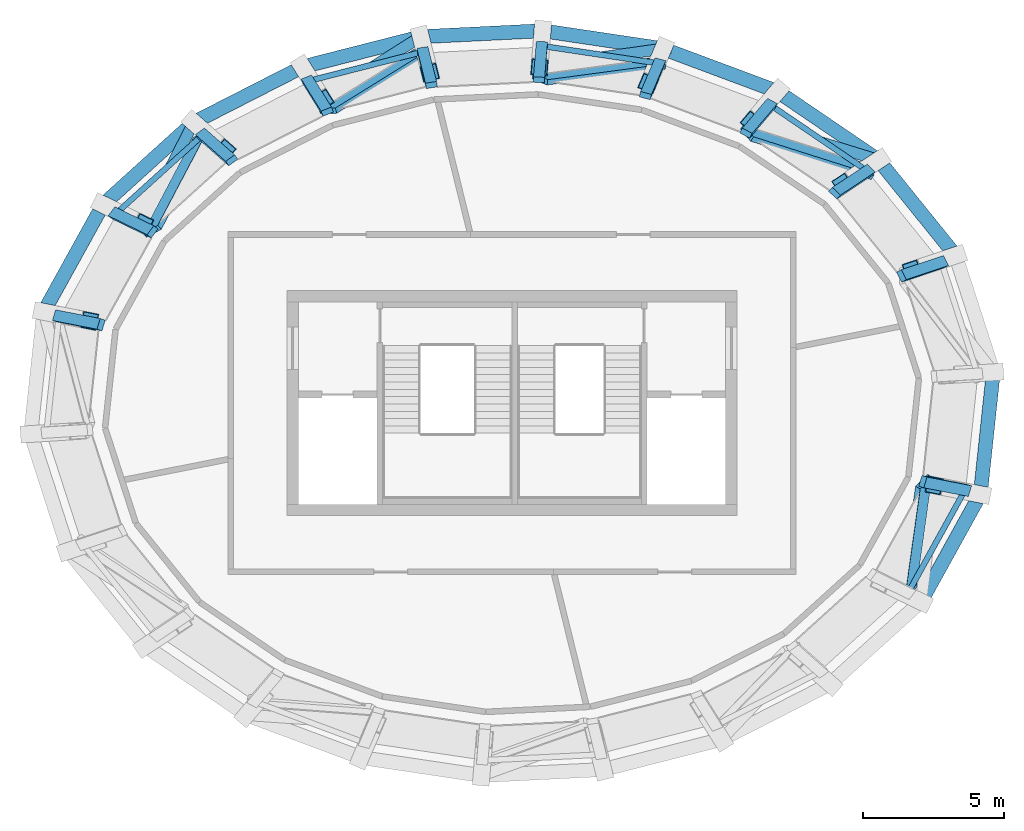
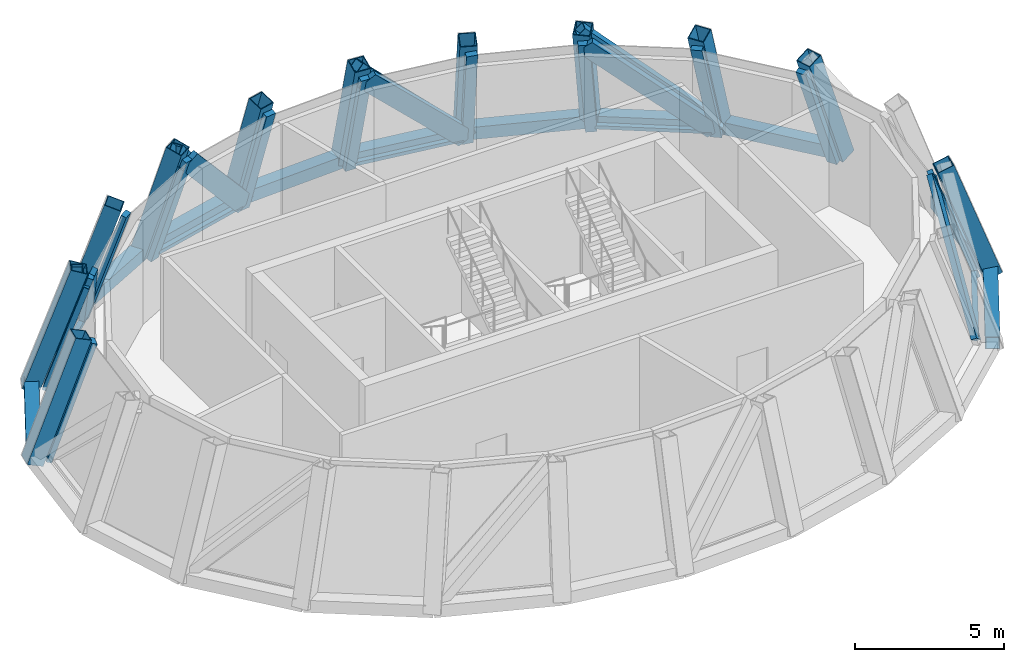
# One storey, part 2 of 6: 36 members, 11 beams, 1 element without a shape of its own.
"""IFC4 building model written with IfcOpenShell, lengths in metres."""

from ifc_helpers import new_model, si_unit, direction, frame, origin, origin_2d, place, context, subcontext, project, spatial, rectangle, hollow_rectangle, extrude, source, transform, mapped, material, material_profile, profile_set, type_object, element, aggregate, save


model = new_model("IFC4")

# Units and contexts
model_context = context("Model", 3, precision=1e-05, world=origin(), true_north=direction((0.0, 1.0)))
body_context = subcontext(model_context, "Body", "Model", "MODEL_VIEW")
ifc_project = project(units=[si_unit("LENGTHUNIT", "METRE"), si_unit("AREAUNIT", "SQUARE_METRE"), si_unit("VOLUMEUNIT", "CUBIC_METRE"), si_unit("PLANEANGLEUNIT", "RADIAN"), si_unit("MASSUNIT", "GRAM", prefix="KILO")], contexts=[model_context])

# Site, building, storey
site_placement = place(None, origin())
site = spatial("IfcSite", under=ifc_project, at=site_placement, CompositionType="ELEMENT")
building_placement = place(site_placement, origin())
building = spatial("IfcBuilding", under=site, at=building_placement, Name="Embergate Tower", CompositionType="ELEMENT")
storey_placement = place(building_placement, frame((0.0, 0.0, 361.0)))
storey = spatial("IfcBuildingStorey", under=building, at=storey_placement, Name="L82", CompositionType="ELEMENT", Elevation=361.0)

# Beams
ifc_material_1 = material(Name="Steel Q355D", Category="steel")
ifc_material_profile_1 = material_profile(ifc_material_1, hollow_rectangle(XDim=0.5, YDim=0.5, WallThickness=0.02490234375, at=origin_2d()), Name="BOX 500x500x25")
ifc_profile_set_1 = profile_set([ifc_material_profile_1], Name="Steel Q355 grade D")
beam_type = type_object("IfcBeamType", Name="Glass point ring beam BOX 500x500x25", PredefinedType="BEAM", material=ifc_profile_set_1)
shared_shape_1 = source(origin(), body_context, "Body", "SweptSolid", [
    extrude(hollow_rectangle(XDim=0.5, YDim=0.5, WallThickness=0.02490234375, at=origin_2d()), origin(), (0.0, 0.0, 1.0), 4.357666015625),
])
beam_1_placement = place(storey_placement, frame((15.777099609375, 5.2529296875, 0.0), z_axis=(-0.628316241824, 0.777958032454, 0.0), x_axis=(-0.777958032454, -0.628316241824, 0.0)))
element("IfcBeam", 1, at=beam_1_placement, inside=storey, type_object=beam_type, Name="CRN-L82-RB01", PredefinedType="BEAM", context=body_context, shape_type="MappedRepresentation", body=[
    mapped(shared_shape_1, transform((0.0, 0.0, 0.0))),
])
shared_shape_2 = source(origin(), body_context, "Body", "SweptSolid", [
    extrude(hollow_rectangle(XDim=0.5, YDim=0.5, WallThickness=0.02490234375, at=origin_2d()), origin(), (0.0, 0.0, 1.0), 4.348388671875),
])
beam_2_placement = place(storey_placement, frame((13.0390625, 8.64306640625, 0.0), z_axis=(-0.826971403783, 0.562243983806, 0.0), x_axis=(-0.562243983806, -0.826971403783, 0.0)))
element("IfcBeam", 2, at=beam_2_placement, inside=storey, type_object=beam_type, Name="CRN-L82-RB02", PredefinedType="BEAM", context=body_context, shape_type="MappedRepresentation", body=[
    mapped(shared_shape_2, transform((0.0, 0.0, 0.0))),
])
shared_shape_3 = source(origin(), body_context, "Body", "SweptSolid", [
    extrude(hollow_rectangle(XDim=0.5, YDim=0.5, WallThickness=0.02490234375, at=origin_2d()), origin(), (0.0, 0.0, 1.0), 4.34130859375),
])
beam_3_placement = place(storey_placement, frame((9.443115234375, 11.087890625, 0.0), z_axis=(-0.936866573227, 0.349687037177, 0.0), x_axis=(-0.349687037177, -0.936866573227, 0.0)))
element("IfcBeam", 3, at=beam_3_placement, inside=storey, type_object=beam_type, Name="CRN-L82-RB03", PredefinedType="BEAM", context=body_context, shape_type="MappedRepresentation", body=[
    mapped(shared_shape_3, transform((0.0, 0.0, 0.0))),
])
shared_shape_4 = source(origin(), body_context, "Body", "SweptSolid", [
    extrude(hollow_rectangle(XDim=0.5, YDim=0.5, WallThickness=0.02490234375, at=origin_2d()), origin(), (0.0, 0.0, 1.0), 4.33837890625),
])
beam_4_placement = place(storey_placement, frame((5.3759765625, 12.60595703125, 0.0), z_axis=(-0.989054910399, 0.147547904817, 0.0), x_axis=(-0.147547904817, -0.989054910399, 0.0)))
element("IfcBeam", 4, at=beam_4_placement, inside=storey, type_object=beam_type, Name="CRN-L82-RB04", PredefinedType="BEAM", context=body_context, shape_type="MappedRepresentation", body=[
    mapped(shared_shape_4, transform((0.0, 0.0, 0.0))),
])
shared_shape_5 = source(origin(), body_context, "Body", "SweptSolid", [
    extrude(hollow_rectangle(XDim=0.5, YDim=0.5, WallThickness=0.02490234375, at=origin_2d()), origin(), (0.0, 0.0, 1.0), 4.336181640625),
])
beam_5_placement = place(storey_placement, frame((1.0849609375, 13.24609375, 0.0), z_axis=(-0.998791342267, -0.049151343957, 0.0), x_axis=(0.049151343957, -0.998791342267, 0.0)))
element("IfcBeam", 5, at=beam_5_placement, inside=storey, type_object=beam_type, Name="CRN-L82-RB05", PredefinedType="BEAM", context=body_context, shape_type="MappedRepresentation", body=[
    mapped(shared_shape_5, transform((0.0, 0.0, 0.0))),
])
shared_shape_6 = source(origin(), body_context, "Body", "SweptSolid", [
    extrude(hollow_rectangle(XDim=0.5, YDim=0.5, WallThickness=0.02490234375, at=origin_2d()), origin(), (0.0, 0.0, 1.0), 4.339599609375),
])
beam_6_placement = place(storey_placement, frame((-3.24609375, 13.032958984375, 0.0), z_axis=(-0.968949550045, -0.247258507371, 0.0), x_axis=(0.247258507371, -0.968949550045, 0.0)))
element("IfcBeam", 6, at=beam_6_placement, inside=storey, type_object=beam_type, Name="CRN-L82-RB06", PredefinedType="BEAM", context=body_context, shape_type="MappedRepresentation", body=[
    mapped(shared_shape_6, transform((0.0, 0.0, 0.0))),
])
shared_shape_7 = source(origin(), body_context, "Body", "SweptSolid", [
    extrude(hollow_rectangle(XDim=0.5, YDim=0.5, WallThickness=0.02490234375, at=origin_2d()), origin(), (0.0, 0.0, 1.0), 4.343994140625),
])
beam_7_placement = place(storey_placement, frame((-7.450927734375, 11.9599609375, 0.0), z_axis=(-0.890687101381, -0.454616857841, 0.0), x_axis=(0.454616857841, -0.890687101381, 0.0)))
element("IfcBeam", 7, at=beam_7_placement, inside=storey, type_object=beam_type, Name="CRN-L82-RB07", PredefinedType="BEAM", context=body_context, shape_type="MappedRepresentation", body=[
    mapped(shared_shape_7, transform((0.0, 0.0, 0.0))),
])
shared_shape_8 = source(origin(), body_context, "Body", "SweptSolid", [
    extrude(hollow_rectangle(XDim=0.5, YDim=0.5, WallThickness=0.02490234375, at=origin_2d()), origin(), (0.0, 0.0, 1.0), 4.3525390625),
])
beam_8_placement = place(storey_placement, frame((-11.320068359375, 9.985107421875, 0.0), z_axis=(-0.741134334902, -0.671356758832, 0.0), x_axis=(0.671356758832, -0.741134334902, 0.0)))
element("IfcBeam", 8, at=beam_8_placement, inside=storey, type_object=beam_type, Name="CRN-L82-RB08", PredefinedType="BEAM", context=body_context, shape_type="MappedRepresentation", body=[
    mapped(shared_shape_8, transform((0.0, 0.0, 0.0))),
])
shared_shape_9 = source(origin(), body_context, "Body", "SweptSolid", [
    extrude(hollow_rectangle(XDim=0.5, YDim=0.5, WallThickness=0.02490234375, at=origin_2d()), origin(), (0.0, 0.0, 1.0), 4.362548828125),
])
for number, where, z_axis, x_axis, name in (
    (9, (-14.5458984375, 7.06298828125, 0.0), (-0.483898186725, -0.875124302533, 0.0), (0.875124302533, -0.483898186725, 0.0), "CRN-L82-RB09"),
    (10, (14.5458984375, -7.06298828125, 0.0), (0.483898186725, 0.875124302533, 0.0), (-0.875124302533, 0.483898186725, 0.0), "CRN-L82-RB20"),
):
    element("IfcBeam", number, at=place(storey_placement, frame(where, z_axis=z_axis, x_axis=x_axis)), inside=storey, type_object=beam_type, Name=name, PredefinedType="BEAM", context=body_context, shape_type="MappedRepresentation", body=[
        mapped(shared_shape_9, transform((0.0, 0.0, 0.0))),
    ])
shared_shape_10 = source(origin(), body_context, "Body", "SweptSolid", [
    extrude(hollow_rectangle(XDim=0.5, YDim=0.5, WallThickness=0.02490234375, at=origin_2d()), origin(), (0.0, 0.0, 1.0), 4.367431640625),
])
beam_9_placement = place(storey_placement, frame((16.656982421875, -3.2451171875, 0.0), z_axis=(0.105761357807, 0.994391540187, 0.0), x_axis=(-0.994391540187, 0.105761357807, 0.0)))
element("IfcBeam", 11, at=beam_9_placement, inside=storey, type_object=beam_type, Name="CRN-L82-RB21", PredefinedType="BEAM", context=body_context, shape_type="MappedRepresentation", body=[
    mapped(shared_shape_10, transform((0.0, 0.0, 0.0))),
])

# Members
ifc_material_profile_2 = material_profile(ifc_material_1, hollow_rectangle(XDim=0.60009765625, YDim=0.60009765625, WallThickness=0.028076171875, at=origin_2d()), Name="BOX 600x600x28")
ifc_profile_set_2 = profile_set([ifc_material_profile_2], Name="Steel Q355 grade D")
member_type_1 = type_object("IfcMemberType", Name="Glass point hip BOX 600x600x28", PredefinedType="MEMBER", material=ifc_profile_set_2)
shared_shape_11 = source(origin(), body_context, "Body", "SweptSolid", [
    extrude(hollow_rectangle(XDim=0.60009765625, YDim=0.60009765625, WallThickness=0.028076171875, at=origin_2d()), origin(), (0.0, 0.0, 1.0), 5.03955078125),
])
member_1_placement = place(storey_placement, frame((13.077880859375, 8.6689453125, -0.14208984375), z_axis=(-0.261899083885, -0.173630469228, 0.949347844584), x_axis=(0.552563638116, -0.833470710842, 0.0)))
element("IfcMember", 12, at=member_1_placement, inside=storey, type_object=member_type_1, Name="CRN-L82-HP02", PredefinedType="MEMBER", context=body_context, shape_type="MappedRepresentation", body=[
    mapped(shared_shape_11, transform((0.0, 0.0, 0.0))),
])
shared_shape_12 = source(origin(), body_context, "Body", "SweptSolid", [
    extrude(hollow_rectangle(XDim=0.60009765625, YDim=0.60009765625, WallThickness=0.028076171875, at=origin_2d()), origin(), (0.0, 0.0, 1.0), 4.9736328125),
])
member_2_placement = place(storey_placement, frame((1.087890625, 13.285888671875, -0.14404296875), z_axis=(-0.021892343232, -0.269776498657, 0.962674070535), x_axis=(0.996723518292, -0.080884040968, 0.0)))
element("IfcMember", 13, at=member_2_placement, inside=storey, type_object=member_type_1, Name="CRN-L82-HP05", PredefinedType="MEMBER", context=body_context, shape_type="MappedRepresentation", body=[
    mapped(shared_shape_12, transform((0.0, 0.0, 0.0))),
])
shared_shape_13 = source(origin(), body_context, "Body", "SweptSolid", [
    extrude(hollow_rectangle(XDim=0.60009765625, YDim=0.60009765625, WallThickness=0.028076171875, at=origin_2d()), origin(), (0.0, 0.0, 1.0), 4.977783203125),
])
member_3_placement = place(storey_placement, frame((-3.256103515625, 13.072998046875, -0.14404296875), z_axis=(0.066112868646, -0.265383332527, 0.961873575589), x_axis=(0.970342594054, 0.241733841579, 0.0)))
element("IfcMember", 14, at=member_3_placement, inside=storey, type_object=member_type_1, Name="CRN-L82-HP06", PredefinedType="MEMBER", context=body_context, shape_type="MappedRepresentation", body=[
    mapped(shared_shape_13, transform((0.0, 0.0, 0.0))),
])
shared_shape_14 = source(origin(), body_context, "Body", "SweptSolid", [
    extrude(hollow_rectangle(XDim=0.60009765625, YDim=0.60009765625, WallThickness=0.028076171875, at=origin_2d()), origin(), (0.0, 0.0, 1.0), 4.996337890625),
])
member_4_placement = place(storey_placement, frame((-7.47412109375, 11.99609375, -0.14404296875), z_axis=(0.151328425448, -0.242408885582, 0.958299347721), x_axis=(0.848276764559, 0.529553142479, 0.0)))
element("IfcMember", 15, at=member_4_placement, inside=storey, type_object=member_type_1, Name="CRN-L82-HP07", PredefinedType="MEMBER", context=body_context, shape_type="MappedRepresentation", body=[
    mapped(shared_shape_14, transform((0.0, 0.0, 0.0))),
])
shared_shape_15 = source(origin(), body_context, "Body", "SweptSolid", [
    extrude(hollow_rectangle(XDim=0.60009765625, YDim=0.60009765625, WallThickness=0.028076171875, at=origin_2d()), origin(), (0.0, 0.0, 1.0), 5.024169921875),
])
member_5_placement = place(storey_placement, frame((-11.35400390625, 10.014892578125, -0.14306640625), z_axis=(0.228095770655, -0.201223814717, 0.952618126953), x_axis=(0.661552945099, 0.749898460347, 0.0)))
element("IfcMember", 16, at=member_5_placement, inside=storey, type_object=member_type_1, Name="CRN-L82-HP08", PredefinedType="MEMBER", context=body_context, shape_type="MappedRepresentation", body=[
    mapped(shared_shape_15, transform((0.0, 0.0, 0.0))),
])
shared_shape_16 = source(origin(), body_context, "Body", "SweptSolid", [
    extrude(hollow_rectangle(XDim=0.60009765625, YDim=0.60009765625, WallThickness=0.028076171875, at=origin_2d()), origin(), (0.0, 0.0, 1.0), 5.06982421875),
])
member_6_placement = place(storey_placement, frame((15.823974609375, 5.26904296875, -0.14111328125), z_axis=(-0.314987601674, -0.104931659387, 0.943277349272), x_axis=(0.316053706336, -0.948741300203, 0.0)))
element("IfcMember", 17, at=member_6_placement, inside=storey, type_object=member_type_1, Name="CRN-L82-HP01", PredefinedType="MEMBER", context=body_context, shape_type="MappedRepresentation", body=[
    mapped(shared_shape_16, transform((0.0, 0.0, 0.0))),
])
ifc_material_profile_3 = material_profile(ifc_material_1, hollow_rectangle(XDim=0.39990234375, YDim=0.39990234375, WallThickness=0.02197265625, at=origin_2d()), Name="BOX 400x400x22")
ifc_profile_set_3 = profile_set([ifc_material_profile_3], Name="Steel Q355 grade D")
member_type_2 = type_object("IfcMemberType", Name="Glass point brace BOX 400x400x22", PredefinedType="BRACE", material=ifc_profile_set_3)
shared_shape_17 = source(origin(), body_context, "Body", "SweptSolid", [
    extrude(hollow_rectangle(XDim=0.39990234375, YDim=0.39990234375, WallThickness=0.02197265625, at=origin_2d()), origin(), (0.0, 0.0, 1.0), 6.8115234375),
])
member_7_placement = place(storey_placement, frame((13.14306640625, 8.611083984375, -0.10400390625), z_axis=(-0.69047537328, 0.213300402118, 0.691192228942), x_axis=(-0.295155633389, -0.955449188643, 0.0)))
element("IfcMember", 18, at=member_7_placement, inside=storey, type_object=member_type_2, Name="CRN-L82-DG02", PredefinedType="BRACE", context=body_context, shape_type="MappedRepresentation", body=[
    mapped(shared_shape_17, transform((0.0, 0.0, 0.0))),
])
shared_shape_18 = source(origin(), body_context, "Body", "SweptSolid", [
    extrude(hollow_rectangle(XDim=0.60009765625, YDim=0.60009765625, WallThickness=0.028076171875, at=origin_2d()), origin(), (0.0, 0.0, 1.0), 5.008544921875),
])
member_8_placement = place(storey_placement, frame((9.471923828125, 11.1220703125, -0.14306640625), z_axis=(-0.191076336561, -0.224417207532, 0.955576658657), x_axis=(0.761400435552, -0.648281865196, 0.0)))
element("IfcMember", 19, at=member_8_placement, inside=storey, type_object=member_type_1, Name="CRN-L82-HP03", PredefinedType="MEMBER", context=body_context, shape_type="MappedRepresentation", body=[
    mapped(shared_shape_18, transform((0.0, 0.0, 0.0))),
])
shared_shape_19 = source(origin(), body_context, "Body", "SweptSolid", [
    extrude(hollow_rectangle(XDim=0.60009765625, YDim=0.60009765625, WallThickness=0.028076171875, at=origin_2d()), origin(), (0.0, 0.0, 1.0), 4.9853515625),
])
member_9_placement = place(storey_placement, frame((5.39208984375, 12.64404296875, -0.14404296875), z_axis=(-0.109159528142, -0.256174738319, 0.960447135902), x_axis=(0.919961737428, -0.392008165308, 0.0)))
element("IfcMember", 20, at=member_9_placement, inside=storey, type_object=member_type_1, Name="CRN-L82-HP04", PredefinedType="MEMBER", context=body_context, shape_type="MappedRepresentation", body=[
    mapped(shared_shape_19, transform((0.0, 0.0, 0.0))),
])
shared_shape_20 = source(origin(), body_context, "Body", "SweptSolid", [
    extrude(hollow_rectangle(XDim=0.39990234375, YDim=0.39990234375, WallThickness=0.02197265625, at=origin_2d()), origin(), (0.0, 0.0, 1.0), 6.6201171875),
])
member_10_placement = place(storey_placement, frame((5.47998046875, 12.62109375, -0.10693359375), z_axis=(-0.695171857896, -0.098504192702, 0.71206250569), x_axis=(0.140296164251, -0.990109582974, 0.0)))
element("IfcMember", 21, at=member_10_placement, inside=storey, type_object=member_type_2, Name="CRN-L82-DG04", PredefinedType="BRACE", context=body_context, shape_type="MappedRepresentation", body=[
    mapped(shared_shape_20, transform((0.0, 0.0, 0.0))),
])
shared_shape_21 = source(origin(), body_context, "Body", "SweptSolid", [
    extrude(hollow_rectangle(XDim=0.39990234375, YDim=0.39990234375, WallThickness=0.02197265625, at=origin_2d()), origin(), (0.0, 0.0, 1.0), 6.41162109375),
])
member_11_placement = place(storey_placement, frame((-3.159912109375, 13.0869140625, -0.110107421875), z_axis=(-0.571929306527, -0.361815730401, 0.736197151291), x_axis=(0.534623671748, -0.845090249385, 0.0)))
element("IfcMember", 22, at=member_11_placement, inside=storey, type_object=member_type_2, Name="CRN-L82-DG06", PredefinedType="BRACE", context=body_context, shape_type="MappedRepresentation", body=[
    mapped(shared_shape_21, transform((0.0, 0.0, 0.0))),
])
shared_shape_22 = source(origin(), body_context, "Body", "SweptSolid", [
    extrude(hollow_rectangle(XDim=0.39990234375, YDim=0.39990234375, WallThickness=0.02197265625, at=origin_2d()), origin(), (0.0, 0.0, 1.0), 6.347412109375),
])
member_12_placement = place(storey_placement, frame((-11.27392578125, 10.073974609375, -0.112060546875), z_axis=(-0.304551225025, -0.59440952659, 0.744261960626), x_axis=(0.889984085471, -0.455991587211, 0.0)))
element("IfcMember", 23, at=member_12_placement, inside=storey, type_object=member_type_2, Name="CRN-L82-DG08", PredefinedType="BRACE", context=body_context, shape_type="MappedRepresentation", body=[
    mapped(shared_shape_22, transform((0.0, 0.0, 0.0))),
])
shared_shape_23 = source(origin(), body_context, "Body", "SweptSolid", [
    extrude(hollow_rectangle(XDim=0.60009765625, YDim=0.60009765625, WallThickness=0.028076171875, at=origin_2d()), origin(), (0.0, 0.0, 1.0), 5.056640625),
])
member_13_placement = place(storey_placement, frame((-14.590087890625, 7.083984375, -0.14208984375), z_axis=(0.291327180883, -0.141414867883, 0.946113264266), x_axis=(0.436686813212, 0.899613598812, 0.0)))
element("IfcMember", 24, at=member_13_placement, inside=storey, type_object=member_type_1, Name="CRN-L82-HP09", PredefinedType="MEMBER", context=body_context, shape_type="MappedRepresentation", body=[
    mapped(shared_shape_23, transform((0.0, 0.0, 0.0))),
])
shared_shape_24 = source(origin(), body_context, "Body", "SweptSolid", [
    extrude(hollow_rectangle(XDim=0.60009765625, YDim=0.60009765625, WallThickness=0.028076171875, at=origin_2d()), origin(), (0.0, 0.0, 1.0), 5.081298828125),
])
for number, where, z_axis, x_axis, name in (
    (25, (-16.70703125, 3.2548828125, -0.14111328125), (0.331805712962, -0.064717969209, 0.941125152839), (0.191440233856, 0.981504272462, 0.0), "CRN-L82-HP10"),
    (26, (16.70703125, -3.2548828125, -0.14111328125), (-0.331805712962, 0.064717969209, 0.941125152839), (-0.191440233856, -0.981504272462, 0.0), "CRN-L82-HP21"),
):
    element("IfcMember", number, at=place(storey_placement, frame(where, z_axis=z_axis, x_axis=x_axis)), inside=storey, type_object=member_type_1, Name=name, PredefinedType="MEMBER", context=body_context, shape_type="MappedRepresentation", body=[
        mapped(shared_shape_24, transform((0.0, 0.0, 0.0))),
    ])

# Curtain wall, members
ifc_material_2 = material(Name="Aluminium and glass", Category="aluminium")
curtain_wall_type = type_object("IfcCurtainWallType", Name="Crown facet glazing", PredefinedType="NOTDEFINED", material=ifc_material_2)
curtain_wall_placement = place(storey_placement, origin())
curtain_wall = element("IfcCurtainWall", 27, at=curtain_wall_placement, inside=storey, type_object=curtain_wall_type, Name="Crown facet glazing L82", ObjectType="CROWN FACET GLAZING", PredefinedType="USERDEFINED")
ifc_material_3 = material(Name="Aluminium, thermally broken", Category="aluminium")
ifc_material_profile_4 = material_profile(ifc_material_3, rectangle(XDim=0.199951171875, YDim=0.39990234375, at=origin_2d()), Name="AL 400x200")
ifc_profile_set_4 = profile_set([ifc_material_profile_4], Name="Aluminium, thermally broken")
member_type_3 = type_object("IfcMemberType", Name="Crown hip mullion", PredefinedType="MULLION", material=ifc_profile_set_4)
shared_shape_25 = source(origin(), body_context, "Body", "SweptSolid", [
    extrude(rectangle(XDim=0.199951171875, YDim=0.39990234375, at=origin_2d()), origin(), (0.0, 0.0, 1.0), 4.7705078125),
])
member_14_placement = place(storey_placement, frame((15.355224609375, 5.0244140625, -0.166259765625), z_axis=(-0.315038772027, -0.104808220453, 0.943273984081), x_axis=(0.830751495336, 0.450126630946, 0.327472089055)))
member_14 = element("IfcMember", 28, at=member_14_placement, type_object=member_type_3, Name="CW hip 2", PredefinedType="MULLION", context=body_context, shape_type="MappedRepresentation", body=[
    mapped(shared_shape_25, transform((0.0, 0.0, 0.0))),
])
shared_shape_26 = source(origin(), body_context, "Body", "SweptSolid", [
    extrude(rectangle(XDim=0.199951171875, YDim=0.39990234375, at=origin_2d()), origin(), (0.0, 0.0, 1.0), 4.685546875),
])
member_15_placement = place(storey_placement, frame((5.25537109375, 12.13818359375, -0.138427734375), z_axis=(-0.109264316829, -0.256304804236, 0.960400518739), x_axis=(0.240157006757, 0.930755276695, 0.275715844685)))
member_15 = element("IfcMember", 29, at=member_15_placement, type_object=member_type_3, Name="CW hip 5", PredefinedType="MULLION", context=body_context, shape_type="MappedRepresentation", body=[
    mapped(shared_shape_26, transform((0.0, 0.0, 0.0))),
])
shared_shape_27 = source(origin(), body_context, "Body", "SweptSolid", [
    extrude(rectangle(XDim=0.199951171875, YDim=0.39990234375, at=origin_2d()), origin(), (0.0, 0.0, 1.0), 4.67822265625),
])
member_16_placement = place(storey_placement, frame((-3.174072265625, 12.554931640625, -0.13671875), z_axis=(0.066068617718, -0.265266022007, 0.961908974551), x_axis=(-0.143311606386, 0.951497821368, 0.272238276894)))
member_16 = element("IfcMember", 30, at=member_16_placement, type_object=member_type_3, Name="CW hip 7", PredefinedType="MULLION", context=body_context, shape_type="MappedRepresentation", body=[
    mapped(shared_shape_27, transform((0.0, 0.0, 0.0))),
])
shared_shape_28 = source(origin(), body_context, "Body", "SweptSolid", [
    extrude(rectangle(XDim=0.199951171875, YDim=0.39990234375, at=origin_2d()), origin(), (0.0, 0.0, 1.0), 4.69580078125),
])
member_17_placement = place(storey_placement, frame((-7.28076171875, 11.50830078125, -0.14111328125), z_axis=(0.151188442797, -0.242535792864, 0.958289332062), x_axis=(-0.338761255083, 0.898016184215, 0.28072717172)))
member_17 = element("IfcMember", 31, at=member_17_placement, type_object=member_type_3, Name="CW hip 8", PredefinedType="MULLION", context=body_context, shape_type="MappedRepresentation", body=[
    mapped(shared_shape_28, transform((0.0, 0.0, 0.0))),
])
shared_shape_29 = source(origin(), body_context, "Body", "SweptSolid", [
    extrude(rectangle(XDim=0.199951171875, YDim=0.39990234375, at=origin_2d()), origin(), (0.0, 0.0, 1.0), 4.740234375),
])
member_18_placement = place(storey_placement, frame((12.71337890625, 8.289306640625, -0.154541015625), z_axis=(-0.262000836675, -0.173619976495, 0.949321686966), x_axis=(0.644565191975, 0.700629706896, 0.306028964492)))
member_18 = element("IfcMember", 32, at=member_18_placement, type_object=member_type_3, Name="CW hip 3", PredefinedType="MULLION", context=body_context, shape_type="MappedRepresentation", body=[
    mapped(shared_shape_29, transform((0.0, 0.0, 0.0))),
])
ifc_material_profile_5 = material_profile(ifc_material_3, rectangle(XDim=0.199951171875, YDim=0.139892578125, at=origin_2d()), Name="AL 140x200")
ifc_profile_set_5 = profile_set([ifc_material_profile_5], Name="Aluminium, thermally broken")
member_type_4 = type_object("IfcMemberType", Name="Crown facet transom", PredefinedType="USERDEFINED", material=ifc_profile_set_5)
shared_shape_30 = source(origin(), body_context, "Body", "SweptSolid", [
    extrude(rectangle(XDim=0.199951171875, YDim=0.139892578125, at=origin_2d()), origin(), (0.0, 0.0, 1.0), 3.928466796875),
])
member_19_placement = place(storey_placement, frame((12.545166015625, 8.320556640625, 0.070068359375), z_axis=(-0.82697735781, 0.56223522628, 0.0), x_axis=(-0.56223522628, -0.82697735781, 0.0)))
member_19 = element("IfcMember", 33, at=member_19_placement, type_object=member_type_4, Name="CW transom 3.1", ObjectType="TRANSOM", PredefinedType="USERDEFINED", context=body_context, shape_type="MappedRepresentation", body=[
    mapped(shared_shape_30, transform((0.0, 0.0, 0.0))),
])
ifc_material_profile_6 = material_profile(ifc_material_3, rectangle(XDim=0.199951171875, YDim=0.760009765625, at=origin_2d()), Name="AL 760x200")
ifc_profile_set_6 = profile_set([ifc_material_profile_6], Name="Aluminium, thermally broken")
member_type_5 = type_object("IfcMemberType", Name="Crown diagonal cover mullion", PredefinedType="MULLION", material=ifc_profile_set_6)
shared_shape_31 = source(origin(), body_context, "Body", "SweptSolid", [
    extrude(rectangle(XDim=0.199951171875, YDim=0.760009765625, at=origin_2d()), origin(), (0.0, 0.0, 1.0), 6.1474609375),
])
member_20_placement = place(storey_placement, frame((12.64599609375, 8.24755859375, 0.081787109375), z_axis=(-0.697377219511, 0.221643636793, 0.681571061575), x_axis=(0.537611059563, 0.790664059678, 0.292958518171)))
member_20 = element("IfcMember", 34, at=member_20_placement, type_object=member_type_5, Name="CW diagonal mullion 3", PredefinedType="MULLION", context=body_context, shape_type="MappedRepresentation", body=[
    mapped(shared_shape_31, transform((0.0, 0.0, 0.0))),
])
shared_shape_32 = source(origin(), body_context, "Body", "SweptSolid", [
    extrude(rectangle(XDim=0.199951171875, YDim=0.39990234375, at=origin_2d()), origin(), (0.0, 0.0, 1.0), 4.708740234375),
])
member_21_placement = place(storey_placement, frame((9.2216796875, 10.65966796875, -0.144775390625), z_axis=(-0.190902454703, -0.224240390166, 0.955652918275), x_axis=(0.439655440773, 0.850912910226, 0.287489673918)))
member_21 = element("IfcMember", 35, at=member_21_placement, type_object=member_type_3, Name="CW hip 4", PredefinedType="MULLION", context=body_context, shape_type="MappedRepresentation", body=[
    mapped(shared_shape_32, transform((0.0, 0.0, 0.0))),
])
shared_shape_33 = source(origin(), body_context, "Body", "SweptSolid", [
    extrude(rectangle(XDim=0.199951171875, YDim=0.139892578125, at=origin_2d()), origin(), (0.0, 0.0, 1.0), 3.919677734375),
])
member_22_placement = place(storey_placement, frame((5.083740234375, 12.1044921875, 0.070068359375), z_axis=(-0.989053459183, 0.147557632395, 0.0), x_axis=(-0.147557632395, -0.989053459183, 0.0)))
member_22 = element("IfcMember", 36, at=member_22_placement, type_object=member_type_4, Name="CW transom 5.1", ObjectType="TRANSOM", PredefinedType="USERDEFINED", context=body_context, shape_type="MappedRepresentation", body=[
    mapped(shared_shape_33, transform((0.0, 0.0, 0.0))),
])
shared_shape_34 = source(origin(), body_context, "Body", "SweptSolid", [
    extrude(rectangle(XDim=0.199951171875, YDim=0.760009765625, at=origin_2d()), origin(), (0.0, 0.0, 1.0), 5.970458984375),
])
member_23_placement = place(storey_placement, frame((5.205078125, 12.08251953125, 0.084228515625), z_axis=(-0.705056498349, -0.094337393672, 0.70284834089), x_axis=(0.142042670707, 0.952240374491, 0.27030010893)))
member_23 = element("IfcMember", 37, at=member_23_placement, type_object=member_type_5, Name="CW diagonal mullion 5", PredefinedType="MULLION", context=body_context, shape_type="MappedRepresentation", body=[
    mapped(shared_shape_34, transform((0.0, 0.0, 0.0))),
])
shared_shape_35 = source(origin(), body_context, "Body", "SweptSolid", [
    extrude(rectangle(XDim=0.199951171875, YDim=0.39990234375, at=origin_2d()), origin(), (0.0, 0.0, 1.0), 4.6748046875),
])
member_24_placement = place(storey_placement, frame((1.06103515625, 12.76318359375, -0.135986328125), z_axis=(-0.022039174871, -0.269953779409, 0.962621021874), x_axis=(0.047593089255, 0.96147996517, 0.270723427931)))
member_24 = element("IfcMember", 38, at=member_24_placement, type_object=member_type_3, Name="CW hip 6", PredefinedType="MULLION", context=body_context, shape_type="MappedRepresentation", body=[
    mapped(shared_shape_35, transform((0.0, 0.0, 0.0))),
])
shared_shape_36 = source(origin(), body_context, "Body", "SweptSolid", [
    extrude(rectangle(XDim=0.199951171875, YDim=0.139892578125, at=origin_2d()), origin(), (0.0, 0.0, 1.0), 3.920654296875),
])
member_25_placement = place(storey_placement, frame((-3.306640625, 12.46044921875, 0.070068359375), z_axis=(-0.968962788371, -0.2472066236, 0.0), x_axis=(0.2472066236, -0.968962788371, 0.0)))
member_25 = element("IfcMember", 39, at=member_25_placement, type_object=member_type_4, Name="CW transom 7.1", ObjectType="TRANSOM", PredefinedType="USERDEFINED", context=body_context, shape_type="MappedRepresentation", body=[
    mapped(shared_shape_36, transform((0.0, 0.0, 0.0))),
])
shared_shape_37 = source(origin(), body_context, "Body", "SweptSolid", [
    extrude(rectangle(XDim=0.199951171875, YDim=0.760009765625, at=origin_2d()), origin(), (0.0, 0.0, 1.0), 5.763916015625),
])
member_26_placement = place(storey_placement, frame((-3.187744140625, 12.48583984375, 0.087158203125), z_axis=(-0.583674155043, -0.362149058463, 0.726754800597), x_axis=(-0.237866176291, 0.932025404283, 0.273401404437)))
member_26 = element("IfcMember", 40, at=member_26_placement, type_object=member_type_5, Name="CW diagonal mullion 7", PredefinedType="MULLION", context=body_context, shape_type="MappedRepresentation", body=[
    mapped(shared_shape_37, transform((0.0, 0.0, 0.0))),
])
shared_shape_38 = source(origin(), body_context, "Body", "SweptSolid", [
    extrude(rectangle(XDim=0.199951171875, YDim=0.39990234375, at=origin_2d()), origin(), (0.0, 0.0, 1.0), 4.723876953125),
])
member_27_placement = place(storey_placement, frame((-11.046630859375, 9.588623046875, -0.149169921875), z_axis=(0.228171659467, -0.20129753423, 0.952584377643), x_axis=(-0.542164787965, 0.786394258512, 0.296042924033)))
member_27 = element("IfcMember", 41, at=member_27_placement, type_object=member_type_3, Name="CW hip 9", PredefinedType="MULLION", context=body_context, shape_type="MappedRepresentation", body=[
    mapped(shared_shape_38, transform((0.0, 0.0, 0.0))),
])
shared_shape_39 = source(origin(), body_context, "Body", "SweptSolid", [
    extrude(rectangle(XDim=0.199951171875, YDim=0.139892578125, at=origin_2d()), origin(), (0.0, 0.0, 1.0), 3.93212890625),
])
member_28_placement = place(storey_placement, frame((-11.09521484375, 9.45068359375, 0.070068359375), z_axis=(-0.741197379109, -0.671287155547, 0.0), x_axis=(0.671287155547, -0.741197379109, 0.0)))
member_28 = element("IfcMember", 42, at=member_28_placement, type_object=member_type_4, Name="CW transom 9.1", ObjectType="TRANSOM", PredefinedType="USERDEFINED", context=body_context, shape_type="MappedRepresentation", body=[
    mapped(shared_shape_39, transform((0.0, 0.0, 0.0))),
])
shared_shape_40 = source(origin(), body_context, "Body", "SweptSolid", [
    extrude(rectangle(XDim=0.199951171875, YDim=0.760009765625, at=origin_2d()), origin(), (0.0, 0.0, 1.0), 5.687255859375),
])
member_29_placement = place(storey_placement, frame((-11.001708984375, 9.527587890625, 0.087890625), z_axis=(-0.316720813013, -0.601117043186, 0.733720809979), x_axis=(-0.639842671992, 0.706437643129, 0.302567697331)))
member_29 = element("IfcMember", 43, at=member_29_placement, type_object=member_type_5, Name="CW diagonal mullion 9", PredefinedType="MULLION", context=body_context, shape_type="MappedRepresentation", body=[
    mapped(shared_shape_40, transform((0.0, 0.0, 0.0))),
])
shared_shape_41 = source(origin(), body_context, "Body", "SweptSolid", [
    extrude(rectangle(XDim=0.199951171875, YDim=0.39990234375, at=origin_2d()), origin(), (0.0, 0.0, 1.0), 4.756103515625),
])
member_30_placement = place(storey_placement, frame((-14.169921875, 6.7646484375, -0.160400390625), z_axis=(0.29120173696, -0.141520040331, 0.946136156468), x_axis=(-0.743081412284, 0.589426307276, 0.316870072757)))
member_30 = element("IfcMember", 44, at=member_30_placement, type_object=member_type_3, Name="CW hip 10", PredefinedType="MULLION", context=body_context, shape_type="MappedRepresentation", body=[
    mapped(shared_shape_41, transform((0.0, 0.0, 0.0))),
])
shared_shape_42 = source(origin(), body_context, "Body", "SweptSolid", [
    extrude(rectangle(XDim=0.199951171875, YDim=0.39990234375, at=origin_2d()), origin(), (0.0, 0.0, 1.0), 4.78125),
])
member_31_placement = place(storey_placement, frame((-16.199951171875, 3.1005859375, -0.1708984375), z_axis=(0.331696604858, -0.064644073545, 0.941168691617), x_axis=(-0.898082701668, 0.283809706212, 0.336005225591)))
member_31 = element("IfcMember", 45, at=member_31_placement, type_object=member_type_3, Name="CW hip 11", PredefinedType="MULLION", context=body_context, shape_type="MappedRepresentation", body=[
    mapped(shared_shape_42, transform((0.0, 0.0, 0.0))),
])
member_32_placement = place(storey_placement, frame((16.199951171875, -3.1005859375, -0.1708984375), z_axis=(-0.331696604858, 0.064644073545, 0.941168691617), x_axis=(0.898082701668, -0.283809706212, 0.336005225591)))
member_32 = element("IfcMember", 46, at=member_32_placement, type_object=member_type_3, Name="CW hip 22", PredefinedType="MULLION", context=body_context, shape_type="MappedRepresentation", body=[
    mapped(shared_shape_42, transform((0.0, 0.0, 0.0))),
])
shared_shape_43 = source(origin(), body_context, "Body", "SweptSolid", [
    extrude(rectangle(XDim=0.199951171875, YDim=0.139892578125, at=origin_2d()), origin(), (0.0, 0.0, 1.0), 3.941162109375),
])
member_33_placement = place(storey_placement, frame((14.157470703125, -6.62451171875, 0.070068359375), z_axis=(0.483848440664, 0.875151807669, 0.0), x_axis=(-0.875151807669, 0.483848440664, 0.0)))
member_33 = element("IfcMember", 47, at=member_33_placement, type_object=member_type_4, Name="CW transom 21.1", ObjectType="TRANSOM", PredefinedType="USERDEFINED", context=body_context, shape_type="MappedRepresentation", body=[
    mapped(shared_shape_43, transform((0.0, 0.0, 0.0))),
])
shared_shape_44 = source(origin(), body_context, "Body", "SweptSolid", [
    extrude(rectangle(XDim=0.199951171875, YDim=0.760009765625, at=origin_2d()), origin(), (0.0, 0.0, 1.0), 5.758544921875),
])
member_34_placement = place(storey_placement, frame((14.09375, -6.727783203125, 0.0869140625), z_axis=(0.095814623249, 0.683972264108, 0.723188426278), x_axis=(0.828124555129, -0.457887407036, 0.323340136189)))
member_34 = element("IfcMember", 48, at=member_34_placement, type_object=member_type_5, Name="CW diagonal mullion 21", PredefinedType="MULLION", context=body_context, shape_type="MappedRepresentation", body=[
    mapped(shared_shape_44, transform((0.0, 0.0, 0.0))),
])
aggregate(curtain_wall, [member_14, member_18, member_19, member_20, member_21, member_15, member_22, member_23, member_24, member_16, member_25, member_26, member_17, member_27, member_28, member_29, member_30, member_31, member_33, member_34, member_32])

save(model, "model.ifc")
